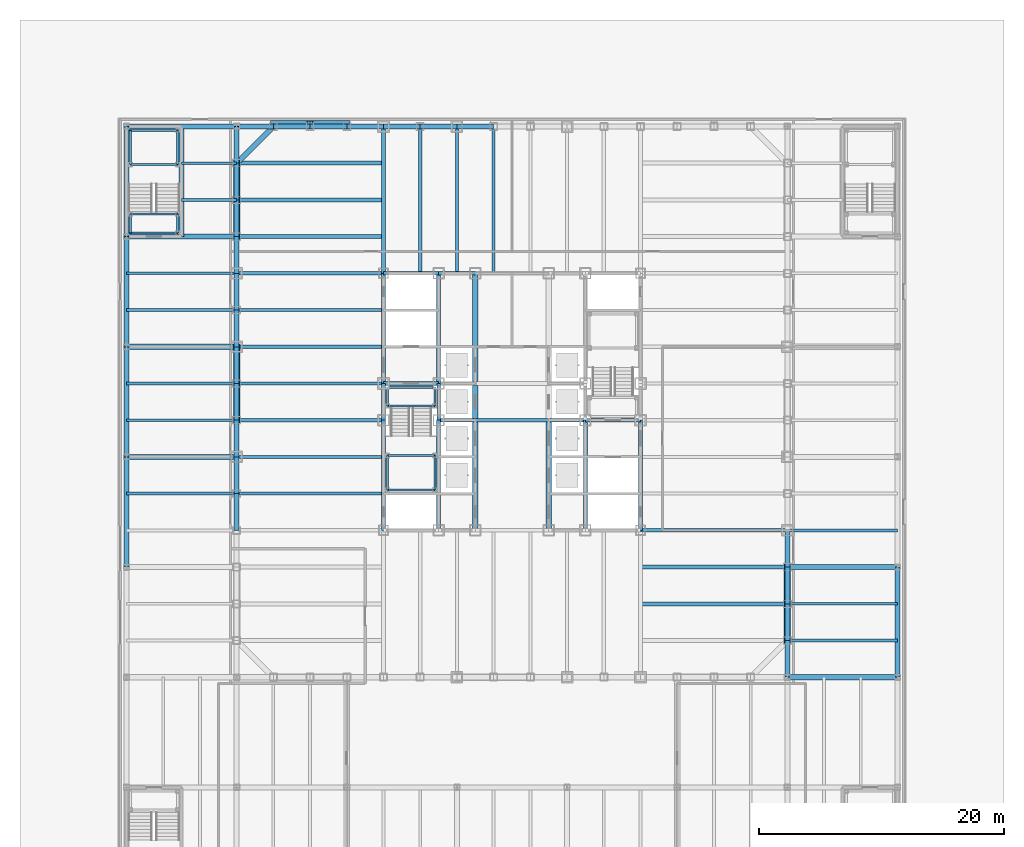
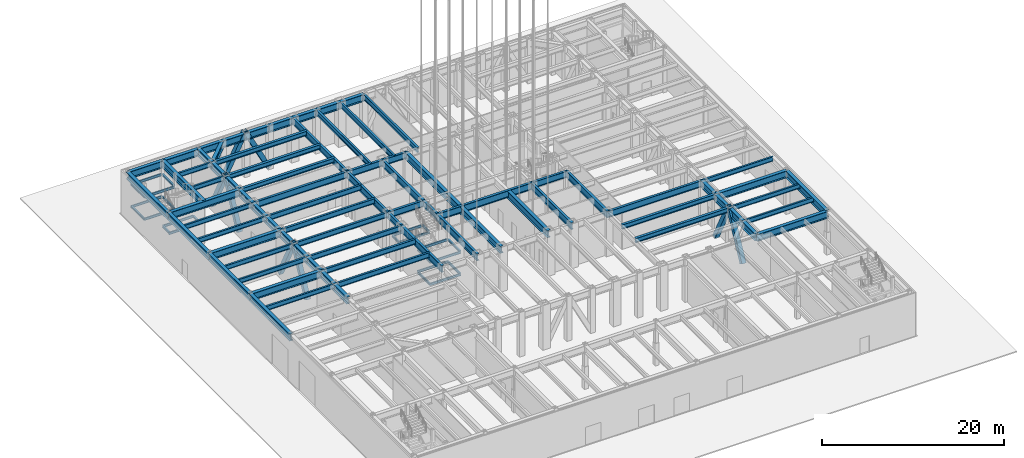
# One storey, part 4 of 35: 103 beams, 8 members.
"""IFC4 building model written with IfcOpenShell, lengths in metres."""

from ifc_helpers import new_model, si_unit, direction, frame, origin, origin_2d, place, context, subcontext, project, spatial, hollow_rectangle, i_section, extrude, material, material_profile, profile_set, type_object, element, save


model = new_model("IFC4")

# Units and contexts
model_context = context("Model", 3, precision=1e-05, world=origin(), true_north=direction((0.0, 1.0)))
body_context = subcontext(model_context, "Body", "Model", "MODEL_VIEW")
ifc_project = project(units=[si_unit("LENGTHUNIT", "METRE"), si_unit("AREAUNIT", "SQUARE_METRE"), si_unit("VOLUMEUNIT", "CUBIC_METRE"), si_unit("PLANEANGLEUNIT", "RADIAN"), si_unit("MASSUNIT", "GRAM", prefix="KILO")], contexts=[model_context])

# Site, building, storey
site_placement = place(None, origin())
site = spatial("IfcSite", under=ifc_project, at=site_placement, CompositionType="ELEMENT")
building_placement = place(site_placement, origin())
building = spatial("IfcBuilding", under=site, at=building_placement, Name="Chuquiago Exchange Tower", CompositionType="ELEMENT")
storey_placement = place(building_placement, origin())
storey = spatial("IfcBuildingStorey", under=building, at=storey_placement, Name="L00", CompositionType="ELEMENT", Elevation=0.0)

# Beams
ifc_material_1 = material(Name="Steel ASTM A992", Category="steel")
ifc_material_profile_1 = material_profile(ifc_material_1, i_section(OverallWidth=0.307373046875, OverallDepth=0.927001953125, WebThickness=0.01953125, FlangeThickness=0.031982421875, at=origin_2d()), Name="W36X194")
ifc_profile_set_1 = profile_set([ifc_material_profile_1], Name="Steel ASTM A992")
beam_type_1 = type_object("IfcBeamType", Name="B10 W36X194", PredefinedType="BEAM", material=ifc_profile_set_1)
for number, where, z_axis, x_axis, name in (
    (1, (12.0, 12.0, 5.33642578125), (0.0, 1.0, 0.0), (-1.0, 0.0, 0.0), "CB-L01-12_12-12_21"),
    (2, (12.0, 24.0, 5.33642578125), (0.0, 1.0, 0.0), (-1.0, 0.0, 0.0), "CB-L01-12_24-12_33"),
    (3, (16.5, 12.0, 5.33642578125), (0.0, 1.0, 0.0), (-1.0, 0.0, 0.0), "CB-L01-16.5_12-16.5_21"),
    (4, (16.5, 24.0, 5.33642578125), (0.0, 1.0, 0.0), (-1.0, 0.0, 0.0), "CB-L01-16.5_24-16.5_33"),
    (5, (28.5, 12.0, 5.33642578125), (0.0, 1.0, 0.0), (-1.0, 0.0, 0.0), "CB-L01-28.5_12-28.5_21"),
    (6, (33.0, 12.0, 5.33642578125), (0.0, 1.0, 0.0), (-1.0, 0.0, 0.0), "CB-L01-33_12-33_21"),
):
    element("IfcBeam", number, at=place(storey_placement, frame(where, z_axis=z_axis, x_axis=x_axis)), inside=storey, type_object=beam_type_1, Name=name, PredefinedType="BEAM", context=body_context, shape_type="SweptSolid", body=[
        extrude(i_section(OverallWidth=0.307373046875, OverallDepth=0.927001953125, WebThickness=0.01953125, FlangeThickness=0.031982421875, at=origin_2d()), origin(), (0.0, 0.0, 1.0), 9.0),
    ])
ifc_material_2 = material(Name="Steel ASTM A992", Category="steel")
ifc_material_profile_2 = material_profile(ifc_material_2, i_section(OverallWidth=0.309814453125, OverallDepth=0.949951171875, WebThickness=0.0244140625, FlangeThickness=0.0439453125, at=origin_2d()), Name="W36X256")
ifc_profile_set_2 = profile_set([ifc_material_profile_2], Name="Steel ASTM A992")
beam_type_2 = type_object("IfcBeamType", Name="B11 W36X256", PredefinedType="BEAM", material=ifc_profile_set_2)
beam_1_placement = place(storey_placement, frame((16.5, 21.0, 5.324951171875), z_axis=(1.0, 0.0, 0.0), x_axis=(0.0, 1.0, 0.0)))
element("IfcBeam", 7, at=beam_1_placement, inside=storey, type_object=beam_type_2, Name="CB-L01-16.5_21-28.5_21", PredefinedType="BEAM", context=body_context, shape_type="SweptSolid", body=[
    extrude(i_section(OverallWidth=0.309814453125, OverallDepth=0.949951171875, WebThickness=0.0244140625, FlangeThickness=0.0439453125, at=origin_2d()), origin(), (0.0, 0.0, 1.0), 12.0),
])
ifc_material_3 = material(Name="Steel ASTM A992", Category="steel")
ifc_material_profile_3 = material_profile(ifc_material_3, i_section(OverallWidth=0.4267578125, OverallDepth=0.975341796875, WebThickness=0.031005859375, FlangeThickness=0.055908203125, at=origin_2d()), Name="W36X395")
ifc_profile_set_3 = profile_set([ifc_material_profile_3], Name="Steel ASTM A992")
beam_type_3 = type_object("IfcBeamType", Name="B12 W36X395", PredefinedType="BEAM", material=ifc_profile_set_3)
beam_2_placement = place(storey_placement, frame((19.5, 12.0, 5.312255859375), z_axis=(0.0, 1.0, 0.0), x_axis=(-1.0, 0.0, 0.0)))
element("IfcBeam", 8, at=beam_2_placement, inside=storey, type_object=beam_type_3, Name="CB-L01-19.5_12-19.5_20.8451", PredefinedType="BEAM", context=body_context, shape_type="SweptSolid", body=[
    extrude(i_section(OverallWidth=0.4267578125, OverallDepth=0.975341796875, WebThickness=0.031005859375, FlangeThickness=0.055908203125, at=origin_2d()), origin(), (0.0, 0.0, 1.0), 8.84521484375),
])
beam_3_placement = place(storey_placement, frame((19.5, 21.15478515625, 5.312255859375), z_axis=(0.0, 1.0, 0.0), x_axis=(-1.0, 0.0, 0.0)))
element("IfcBeam", 9, at=beam_3_placement, inside=storey, type_object=beam_type_3, Name="CB-L01-19.5_21.1549-19.5_23.8451", PredefinedType="BEAM", context=body_context, shape_type="SweptSolid", body=[
    extrude(i_section(OverallWidth=0.4267578125, OverallDepth=0.975341796875, WebThickness=0.031005859375, FlangeThickness=0.055908203125, at=origin_2d()), origin(), (0.0, 0.0, 1.0), 2.6904296875),
])
for number, where, z_axis, x_axis, name in (
    (10, (19.5, 24.15478515625, 5.312255859375), (0.0, 1.0, 0.0), (-1.0, 0.0, 0.0), "CB-L01-19.5_24.1549-19.5_33"),
    (11, (25.5, 12.0, 5.312255859375), (0.0, 1.0, 0.0), (-1.0, 0.0, 0.0), "CB-L01-25.5_12-25.5_20.8451"),
):
    element("IfcBeam", number, at=place(storey_placement, frame(where, z_axis=z_axis, x_axis=x_axis)), inside=storey, type_object=beam_type_3, Name=name, PredefinedType="BEAM", context=body_context, shape_type="SweptSolid", body=[
        extrude(i_section(OverallWidth=0.4267578125, OverallDepth=0.975341796875, WebThickness=0.031005859375, FlangeThickness=0.055908203125, at=origin_2d()), origin(), (0.0, 0.0, 1.0), 8.84521484375),
    ])
ifc_material_4 = material(Name="Steel ASTM A992", Category="steel")
ifc_material_profile_4 = material_profile(ifc_material_4, i_section(OverallWidth=0.2919921875, OverallDepth=0.8583984375, WebThickness=0.01708984375, FlangeThickness=0.031005859375, at=origin_2d()), Name="W33X169")
ifc_profile_set_4 = profile_set([ifc_material_profile_4], Name="Steel ASTM A992")
beam_type_4 = type_object("IfcBeamType", Name="B3 W33X169", PredefinedType="BEAM", material=ifc_profile_set_4)
for number, where, z_axis, x_axis, name in (
    (12, (12.0, 21.0, 5.37060546875), (0.0, 1.0, 0.0), (-1.0, 0.0, 0.0), "CB-L01-12_21-12_24"),
    (13, (16.5, 21.0, 5.37060546875), (0.0, 1.0, 0.0), (-1.0, 0.0, 0.0), "CB-L01-16.5_21-16.5_24"),
):
    element("IfcBeam", number, at=place(storey_placement, frame(where, z_axis=z_axis, x_axis=x_axis)), inside=storey, type_object=beam_type_4, Name=name, PredefinedType="BEAM", context=body_context, shape_type="SweptSolid", body=[
        extrude(i_section(OverallWidth=0.2919921875, OverallDepth=0.8583984375, WebThickness=0.01708984375, FlangeThickness=0.031005859375, at=origin_2d()), origin(), (0.0, 0.0, 1.0), 3.0),
    ])
for number, where, z_axis, x_axis, name in (
    (14, (28.5, 21.0, 5.37060546875), (1.0, 0.0, 0.0), (0.0, 1.0, 0.0), "CB-L01-28.5_21-33_21"),
    (15, (12.0, 24.0, 5.37060546875), (1.0, 0.0, 0.0), (0.0, 1.0, 0.0), "CB-L01-12_24-16.5_24"),
    (16, (12.0, 33.0, 5.37060546875), (1.0, 0.0, 0.0), (0.0, 1.0, 0.0), "CB-L01-12_33-16.5_33"),
):
    element("IfcBeam", number, at=place(storey_placement, frame(where, z_axis=z_axis, x_axis=x_axis)), inside=storey, type_object=beam_type_4, Name=name, PredefinedType="BEAM", context=body_context, shape_type="SweptSolid", body=[
        extrude(i_section(OverallWidth=0.2919921875, OverallDepth=0.8583984375, WebThickness=0.01708984375, FlangeThickness=0.031005859375, at=origin_2d()), origin(), (0.0, 0.0, 1.0), 4.5),
    ])
beam_4_placement = place(storey_placement, frame((16.5, 33.0, 5.37060546875), z_axis=(1.0, 0.0, 0.0), x_axis=(0.0, 1.0, 0.0)))
element("IfcBeam", 17, at=beam_4_placement, inside=storey, type_object=beam_type_4, Name="CB-L01-16.5_33-19.5_33", PredefinedType="BEAM", context=body_context, shape_type="SweptSolid", body=[
    extrude(i_section(OverallWidth=0.2919921875, OverallDepth=0.8583984375, WebThickness=0.01708984375, FlangeThickness=0.031005859375, at=origin_2d()), origin(), (0.0, 0.0, 1.0), 3.0),
])
ifc_material_5 = material(Name="Steel ASTM A992", Category="steel")
ifc_material_profile_5 = material_profile(ifc_material_5, i_section(OverallWidth=0.256591796875, OverallDepth=0.693359375, WebThickness=0.014404296875, FlangeThickness=0.023681640625, at=origin_2d()), Name="W27X114")
ifc_profile_set_5 = profile_set([ifc_material_profile_5], Name="Steel ASTM A992")
beam_type_5 = type_object("IfcBeamType", Name="B4 W27X114", PredefinedType="BEAM", material=ifc_profile_set_5)
for number, where, z_axis, x_axis, name in (
    (18, (15.0, 33.0, 5.453369140625), (0.0, 1.0, 0.0), (-1.0, 0.0, 0.0), "FB-L01-infill-15_33-15_45-0"),
    (19, (18.0, 33.0, 5.453369140625), (0.0, 1.0, 0.0), (-1.0, 0.0, 0.0), "FB-L01-infill-18_33-18_45-0"),
    (20, (21.0, 33.0, 5.453369140625), (0.0, 1.0, 0.0), (-1.0, 0.0, 0.0), "FB-L01-infill-21_33-21_45-0"),
    (21, (12.0, 15.0, 5.453369140625), (-1.0, 0.0, 0.0), (0.0, -1.0, 0.0), "FB-L01-infill-12_15--0_15-0"),
    (22, (12.0, 18.0, 5.453369140625), (-1.0, 0.0, 0.0), (0.0, -1.0, 0.0), "FB-L01-infill-12_18--0_18-0"),
    (23, (12.0, 21.0, 5.453369140625), (-1.0, 0.0, 0.0), (0.0, -1.0, 0.0), "FB-L01-infill-12_21--0_21-0"),
    (24, (12.0, 24.0, 5.453369140625), (-1.0, 0.0, 0.0), (0.0, -1.0, 0.0), "FB-L01-infill-12_24--0_24-0"),
    (25, (12.0, 27.0, 5.453369140625), (-1.0, 0.0, 0.0), (0.0, -1.0, 0.0), "FB-L01-infill-12_27--0_27-0"),
    (26, (12.0, 30.0, 5.453369140625), (-1.0, 0.0, 0.0), (0.0, -1.0, 0.0), "FB-L01-infill-12_30--0_30-0"),
):
    element("IfcBeam", number, at=place(storey_placement, frame(where, z_axis=z_axis, x_axis=x_axis)), inside=storey, type_object=beam_type_5, Name=name, PredefinedType="BEAM", context=body_context, shape_type="SweptSolid", body=[
        extrude(i_section(OverallWidth=0.256591796875, OverallDepth=0.693359375, WebThickness=0.014404296875, FlangeThickness=0.023681640625, at=origin_2d()), origin(), (0.0, 0.0, 1.0), 12.0),
    ])
ifc_material_6 = material(Name="Steel ASTM A992", Category="steel")
ifc_material_profile_6 = material_profile(ifc_material_6, i_section(OverallWidth=0.3251953125, OverallDepth=0.6171875, WebThickness=0.013916015625, FlangeThickness=0.021484375, at=origin_2d()), Name="W24X117")
ifc_profile_set_6 = profile_set([ifc_material_profile_6], Name="Steel ASTM A992")
beam_type_6 = type_object("IfcBeamType", Name="B5 W24X117", PredefinedType="BEAM", material=ifc_profile_set_6)
for number, where, z_axis, x_axis, name in (
    (27, (12.0, 36.0, 5.491455078125), (-1.0, 0.0, 0.0), (0.0, -1.0, 0.0), "FB-L01-corner-12_36--0_36-0"),
    (28, (12.0, 39.0, 5.491455078125), (-1.0, 0.0, 0.0), (0.0, -1.0, 0.0), "FB-L01-corner-12_39--0_39-0"),
    (29, (12.0, 42.0, 5.491455078125), (-1.0, 0.0, 0.0), (0.0, -1.0, 0.0), "FB-L01-corner-12_42--0_42-0"),
    (30, (33.0, 6.0, 5.491455078125), (1.0, 0.0, 0.0), (0.0, 1.0, 0.0), "FB-L01-corner-33_6-45_6-0"),
    (31, (33.0, 9.0, 5.491455078125), (1.0, 0.0, 0.0), (0.0, 1.0, 0.0), "FB-L01-corner-33_9-45_9-0"),
):
    element("IfcBeam", number, at=place(storey_placement, frame(where, z_axis=z_axis, x_axis=x_axis)), inside=storey, type_object=beam_type_6, Name=name, PredefinedType="BEAM", context=body_context, shape_type="SweptSolid", body=[
        extrude(i_section(OverallWidth=0.3251953125, OverallDepth=0.6171875, WebThickness=0.013916015625, FlangeThickness=0.021484375, at=origin_2d()), origin(), (0.0, 0.0, 1.0), 12.0),
    ])
ifc_material_7 = material(Name="Steel ASTM A992", Category="steel")
ifc_material_profile_7 = material_profile(ifc_material_7, i_section(OverallWidth=0.2919921875, OverallDepth=0.8583984375, WebThickness=0.01708984375, FlangeThickness=0.031005859375, at=origin_2d()), Name="W33X169")
ifc_profile_set_7 = profile_set([ifc_material_profile_7], Name="Steel ASTM A992")
beam_type_7 = type_object("IfcBeamType", Name="G2 W33X169", PredefinedType="BEAM", material=ifc_profile_set_7)
for number, where, z_axis, x_axis, name in (
    (32, (12.0, 33.0, 5.37060546875), (0.0, 1.0, 0.0), (-1.0, 0.0, 0.0), "FB-L01-girder-12_33-12_45-0"),
    (33, (33.0, 12.0, 5.37060546875), (1.0, 0.0, 0.0), (0.0, 1.0, 0.0), "FB-L01-girder-33_12-45_12-0"),
    (34, (12.0, 33.0, 5.37060546875), (-1.0, 0.0, 0.0), (0.0, -1.0, 0.0), "FB-L01-girder-12_33--0_33-0"),
):
    element("IfcBeam", number, at=place(storey_placement, frame(where, z_axis=z_axis, x_axis=x_axis)), inside=storey, type_object=beam_type_7, Name=name, PredefinedType="BEAM", context=body_context, shape_type="SweptSolid", body=[
        extrude(i_section(OverallWidth=0.2919921875, OverallDepth=0.8583984375, WebThickness=0.01708984375, FlangeThickness=0.031005859375, at=origin_2d()), origin(), (0.0, 0.0, 1.0), 12.0),
    ])
ifc_material_8 = material(Name="Steel ASTM A992", Category="steel")
ifc_material_profile_8 = material_profile(ifc_material_8, i_section(OverallWidth=0.164794921875, OverallDepth=0.309814453125, WebThickness=0.005859375, FlangeThickness=0.009765625, at=origin_2d()), Name="W12X26")
ifc_profile_set_8 = profile_set([ifc_material_profile_8], Name="Steel ASTM A992")
beam_type_8 = type_object("IfcBeamType", Name="LS1 W12X26", PredefinedType="BEAM", material=ifc_profile_set_8)
for number, where, z_axis, x_axis, name in (
    (35, (12.31005859375, 15.31005859375, 1.14501953125), (0.0, 1.0, 0.0), (-1.0, 0.0, 0.0), "Stair ST1 L00 landing 1 stringer"),
    (36, (16.18994140625, 15.31005859375, 1.14501953125), (0.0, 1.0, 0.0), (-1.0, 0.0, 0.0), "Stair ST1 L00 landing 1 stringer"),
):
    element("IfcBeam", number, at=place(storey_placement, frame(where, z_axis=z_axis, x_axis=x_axis)), inside=storey, type_object=beam_type_8, Name=name, PredefinedType="BEAM", context=body_context, shape_type="SweptSolid", body=[
        extrude(i_section(OverallWidth=0.164794921875, OverallDepth=0.309814453125, WebThickness=0.005859375, FlangeThickness=0.009765625, at=origin_2d()), origin(), (0.0, 0.0, 1.0), 2.800048828125),
    ])
for number, where, z_axis, x_axis, name in (
    (37, (12.31005859375, 22.14990234375, 2.64501953125), (0.0, 1.0, 0.0), (-1.0, 0.0, 0.0), "Stair ST1 L00 landing 2 stringer"),
    (38, (16.18994140625, 22.14990234375, 2.64501953125), (0.0, 1.0, 0.0), (-1.0, 0.0, 0.0), "Stair ST1 L00 landing 2 stringer"),
):
    element("IfcBeam", number, at=place(storey_placement, frame(where, z_axis=z_axis, x_axis=x_axis)), inside=storey, type_object=beam_type_8, Name=name, PredefinedType="BEAM", context=body_context, shape_type="SweptSolid", body=[
        extrude(i_section(OverallWidth=0.164794921875, OverallDepth=0.309814453125, WebThickness=0.005859375, FlangeThickness=0.009765625, at=origin_2d()), origin(), (0.0, 0.0, 1.0), 1.5400390625),
    ])
for number, where, z_axis, x_axis, name in (
    (39, (12.31005859375, 15.31005859375, 4.14501953125), (0.0, 1.0, 0.0), (-1.0, 0.0, 0.0), "Stair ST1 L00 landing 3 stringer"),
    (40, (16.18994140625, 15.31005859375, 4.14501953125), (0.0, 1.0, 0.0), (-1.0, 0.0, 0.0), "Stair ST1 L00 landing 3 stringer"),
    (41, (-8.68994140625, 41.889892578125, 1.14501953125), (0.0, 1.0, 0.0), (-1.0, 0.0, 0.0), "Stair PS3 L00 landing 1 stringer"),
    (42, (-4.81005859375, 41.889892578125, 1.14501953125), (0.0, 1.0, 0.0), (-1.0, 0.0, 0.0), "Stair PS3 L00 landing 1 stringer"),
):
    element("IfcBeam", number, at=place(storey_placement, frame(where, z_axis=z_axis, x_axis=x_axis)), inside=storey, type_object=beam_type_8, Name=name, PredefinedType="BEAM", context=body_context, shape_type="SweptSolid", body=[
        extrude(i_section(OverallWidth=0.164794921875, OverallDepth=0.309814453125, WebThickness=0.005859375, FlangeThickness=0.009765625, at=origin_2d()), origin(), (0.0, 0.0, 1.0), 2.800048828125),
    ])
for number, where, z_axis, x_axis, name in (
    (43, (-8.68994140625, 36.31005859375, 2.64501953125), (0.0, 1.0, 0.0), (-1.0, 0.0, 0.0), "Stair PS3 L00 landing 2 stringer"),
    (44, (-4.81005859375, 36.31005859375, 2.64501953125), (0.0, 1.0, 0.0), (-1.0, 0.0, 0.0), "Stair PS3 L00 landing 2 stringer"),
):
    element("IfcBeam", number, at=place(storey_placement, frame(where, z_axis=z_axis, x_axis=x_axis)), inside=storey, type_object=beam_type_8, Name=name, PredefinedType="BEAM", context=body_context, shape_type="SweptSolid", body=[
        extrude(i_section(OverallWidth=0.164794921875, OverallDepth=0.309814453125, WebThickness=0.005859375, FlangeThickness=0.009765625, at=origin_2d()), origin(), (0.0, 0.0, 1.0), 1.5400390625),
    ])
for number, where, z_axis, x_axis, name in (
    (45, (-8.68994140625, 41.889892578125, 4.14501953125), (0.0, 1.0, 0.0), (-1.0, 0.0, 0.0), "Stair PS3 L00 landing 3 stringer"),
    (46, (-4.81005859375, 41.889892578125, 4.14501953125), (0.0, 1.0, 0.0), (-1.0, 0.0, 0.0), "Stair PS3 L00 landing 3 stringer"),
):
    element("IfcBeam", number, at=place(storey_placement, frame(where, z_axis=z_axis, x_axis=x_axis)), inside=storey, type_object=beam_type_8, Name=name, PredefinedType="BEAM", context=body_context, shape_type="SweptSolid", body=[
        extrude(i_section(OverallWidth=0.164794921875, OverallDepth=0.309814453125, WebThickness=0.005859375, FlangeThickness=0.009765625, at=origin_2d()), origin(), (0.0, 0.0, 1.0), 2.800048828125),
    ])
ifc_material_9 = material(Name="Steel ASTM A992", Category="steel")
ifc_material_profile_9 = material_profile(ifc_material_9, i_section(OverallWidth=0.164794921875, OverallDepth=0.309814453125, WebThickness=0.005859375, FlangeThickness=0.009765625, at=origin_2d()), Name="W12X26")
ifc_profile_set_9 = profile_set([ifc_material_profile_9], Name="Steel ASTM A992")
beam_type_9 = type_object("IfcBeamType", Name="LT1 W12X26", PredefinedType="BEAM", material=ifc_profile_set_9)
for number, where, z_axis, x_axis, name in (
    (47, (12.31005859375, 15.31005859375, 1.14501953125), (1.0, 0.0, 0.0), (0.0, 1.0, 0.0), "Stair ST1 L00 landing 1 trimmer"),
    (48, (12.31005859375, 18.110107421875, 1.14501953125), (1.0, 0.0, 0.0), (0.0, 1.0, 0.0), "Stair ST1 L00 landing 1 trimmer"),
    (49, (12.31005859375, 22.14990234375, 2.64501953125), (1.0, 0.0, 0.0), (0.0, 1.0, 0.0), "Stair ST1 L00 landing 2 trimmer"),
):
    element("IfcBeam", number, at=place(storey_placement, frame(where, z_axis=z_axis, x_axis=x_axis)), inside=storey, type_object=beam_type_9, Name=name, PredefinedType="BEAM", context=body_context, shape_type="SweptSolid", body=[
        extrude(i_section(OverallWidth=0.164794921875, OverallDepth=0.309814453125, WebThickness=0.005859375, FlangeThickness=0.009765625, at=origin_2d()), origin(), (0.0, 0.0, 1.0), 3.8798828125),
    ])
beam_5_placement = place(storey_placement, frame((12.455078125, 23.68994140625, 2.64501953125), z_axis=(1.0, 0.0, 0.0), x_axis=(0.0, 1.0, 0.0)))
element("IfcBeam", 50, at=beam_5_placement, inside=storey, type_object=beam_type_9, Name="Stair ST1 L00 landing 2 trimmer", PredefinedType="BEAM", context=body_context, shape_type="SweptSolid", body=[
    extrude(i_section(OverallWidth=0.164794921875, OverallDepth=0.309814453125, WebThickness=0.005859375, FlangeThickness=0.009765625, at=origin_2d()), origin(), (0.0, 0.0, 1.0), 3.58984375),
])
for number, where, z_axis, x_axis, name in (
    (51, (12.31005859375, 15.31005859375, 4.14501953125), (1.0, 0.0, 0.0), (0.0, 1.0, 0.0), "Stair ST1 L00 landing 3 trimmer"),
    (52, (12.31005859375, 18.110107421875, 4.14501953125), (1.0, 0.0, 0.0), (0.0, 1.0, 0.0), "Stair ST1 L00 landing 3 trimmer"),
):
    element("IfcBeam", number, at=place(storey_placement, frame(where, z_axis=z_axis, x_axis=x_axis)), inside=storey, type_object=beam_type_9, Name=name, PredefinedType="BEAM", context=body_context, shape_type="SweptSolid", body=[
        extrude(i_section(OverallWidth=0.164794921875, OverallDepth=0.309814453125, WebThickness=0.005859375, FlangeThickness=0.009765625, at=origin_2d()), origin(), (0.0, 0.0, 1.0), 3.8798828125),
    ])
beam_6_placement = place(storey_placement, frame((-8.814208984375, 44.68994140625, 1.14501953125), z_axis=(1.0, 0.0, 0.0), x_axis=(0.0, 1.0, 0.0)))
element("IfcBeam", 53, at=beam_6_placement, inside=storey, type_object=beam_type_9, Name="Stair PS3 L00 landing 1 trimmer", PredefinedType="BEAM", context=body_context, shape_type="SweptSolid", body=[
    extrude(i_section(OverallWidth=0.164794921875, OverallDepth=0.309814453125, WebThickness=0.005859375, FlangeThickness=0.009765625, at=origin_2d()), origin(), (0.0, 0.0, 1.0), 4.004150390625),
])
for number, where, z_axis, x_axis, name in (
    (54, (-8.68994140625, 41.889892578125, 1.14501953125), (1.0, 0.0, 0.0), (0.0, 1.0, 0.0), "Stair PS3 L00 landing 1 trimmer"),
    (55, (-8.68994140625, 37.85009765625, 2.64501953125), (1.0, 0.0, 0.0), (0.0, 1.0, 0.0), "Stair PS3 L00 landing 2 trimmer"),
):
    element("IfcBeam", number, at=place(storey_placement, frame(where, z_axis=z_axis, x_axis=x_axis)), inside=storey, type_object=beam_type_9, Name=name, PredefinedType="BEAM", context=body_context, shape_type="SweptSolid", body=[
        extrude(i_section(OverallWidth=0.164794921875, OverallDepth=0.309814453125, WebThickness=0.005859375, FlangeThickness=0.009765625, at=origin_2d()), origin(), (0.0, 0.0, 1.0), 3.8798828125),
    ])
for number, where, z_axis, x_axis, name in (
    (56, (-8.814208984375, 36.31005859375, 2.64501953125), (1.0, 0.0, 0.0), (0.0, 1.0, 0.0), "Stair PS3 L00 landing 2 trimmer"),
    (57, (-8.814208984375, 44.68994140625, 4.14501953125), (1.0, 0.0, 0.0), (0.0, 1.0, 0.0), "Stair PS3 L00 landing 3 trimmer"),
):
    element("IfcBeam", number, at=place(storey_placement, frame(where, z_axis=z_axis, x_axis=x_axis)), inside=storey, type_object=beam_type_9, Name=name, PredefinedType="BEAM", context=body_context, shape_type="SweptSolid", body=[
        extrude(i_section(OverallWidth=0.164794921875, OverallDepth=0.309814453125, WebThickness=0.005859375, FlangeThickness=0.009765625, at=origin_2d()), origin(), (0.0, 0.0, 1.0), 4.004150390625),
    ])
beam_7_placement = place(storey_placement, frame((-8.68994140625, 41.889892578125, 4.14501953125), z_axis=(1.0, 0.0, 0.0), x_axis=(0.0, 1.0, 0.0)))
element("IfcBeam", 58, at=beam_7_placement, inside=storey, type_object=beam_type_9, Name="Stair PS3 L00 landing 3 trimmer", PredefinedType="BEAM", context=body_context, shape_type="SweptSolid", body=[
    extrude(i_section(OverallWidth=0.164794921875, OverallDepth=0.309814453125, WebThickness=0.005859375, FlangeThickness=0.009765625, at=origin_2d()), origin(), (0.0, 0.0, 1.0), 3.8798828125),
])

# Members
ifc_material_10 = material(Name="Steel ASTM A572 Grade 50", Category="steel")
ifc_material_profile_10 = material_profile(ifc_material_10, hollow_rectangle(XDim=0.550048828125, YDim=0.550048828125, WallThickness=0.044921875, at=origin_2d()), Name="BOX550X550X45")
ifc_profile_set_10 = profile_set([ifc_material_profile_10], Name="Steel ASTM A572 Grade 50")
member_type = type_object("IfcMemberType", Name="MB1 BOX550X550X45", PredefinedType="BRACE", material=ifc_profile_set_10)
for number, where, z_axis, x_axis, name in (
    (59, (45.0, 3.0, 0.0), (0.0, 0.456929540486, 0.889502892087), (-1.0, 0.0, 0.0), "Mega diagonal L00 E face"),
    (60, (45.0, 9.0, 0.0), (0.0, -0.456929540486, 0.889502892087), (1.0, 0.0, 0.0), "Mega diagonal L00 E face"),
    (61, (9.0, 45.205078125, 0.0), (-0.456929540486, 0.0, 0.889502892087), (0.0, -1.0, 0.0), "Mega diagonal L00 N face"),
    (62, (3.0, 45.205078125, 0.0), (0.456929540486, 0.0, 0.889502892087), (0.0, 1.0, 0.0), "Mega diagonal L00 N face"),
    (63, (0.0, 42.0, 0.0), (0.0, -0.456929540486, 0.889502892087), (1.0, 0.0, 0.0), "Mega diagonal L00 W face"),
    (64, (0.0, 36.0, 0.0), (0.0, 0.456929540486, 0.889502892087), (-1.0, 0.0, 0.0), "Mega diagonal L00 W face"),
    (65, (0.0, 27.0, 0.0), (0.0, -0.456929540486, 0.889502892087), (1.0, 0.0, 0.0), "Mega diagonal L00 W face"),
    (66, (0.0, 21.0, 0.0), (0.0, 0.456929540486, 0.889502892087), (-1.0, 0.0, 0.0), "Mega diagonal L00 W face"),
):
    element("IfcMember", number, at=place(storey_placement, frame(where, z_axis=z_axis, x_axis=x_axis)), inside=storey, type_object=member_type, Name=name, PredefinedType="BRACE", context=body_context, shape_type="SweptSolid", body=[
        extrude(hollow_rectangle(XDim=0.550048828125, YDim=0.550048828125, WallThickness=0.044921875, at=origin_2d()), origin(), (0.0, 0.0, 1.0), 6.565673828125),
    ])

# Beams
ifc_material_11 = material(Name="Steel ASTM A992", Category="steel")
ifc_material_profile_11 = material_profile(ifc_material_11, i_section(OverallWidth=0.227783203125, OverallDepth=0.60205078125, WebThickness=0.010498046875, FlangeThickness=0.014892578125, at=origin_2d()), Name="W24X68")
ifc_profile_set_11 = profile_set([ifc_material_profile_11], Name="Steel ASTM A992")
beam_type_10 = type_object("IfcBeamType", Name="PB1 W24X68", PredefinedType="BEAM", material=ifc_profile_set_11)
for number, where, z_axis, x_axis, name in (
    (67, (45.0, 3.0, 5.4990234375), (1.0, 0.0, 0.0), (0.0, 1.0, 0.0), "PB-L01-45_3"),
    (68, (45.0, 6.0, 5.4990234375), (1.0, 0.0, 0.0), (0.0, 1.0, 0.0), "PB-L01-45_6"),
    (69, (45.0, 12.0, 5.4990234375), (1.0, 0.0, 0.0), (0.0, 1.0, 0.0), "PB-L01-45_12"),
    (70, (-9.0, 15.0, 5.4990234375), (1.0, 0.0, 0.0), (0.0, 1.0, 0.0), "PB-L01--9_15"),
    (71, (-9.0, 21.0, 5.4990234375), (1.0, 0.0, 0.0), (0.0, 1.0, 0.0), "PB-L01--9_21"),
    (72, (-9.0, 24.0, 5.4990234375), (1.0, 0.0, 0.0), (0.0, 1.0, 0.0), "PB-L01--9_24"),
    (73, (-9.0, 30.0, 5.4990234375), (1.0, 0.0, 0.0), (0.0, 1.0, 0.0), "PB-L01--9_30"),
    (74, (-9.0, 33.0, 5.4990234375), (1.0, 0.0, 0.0), (0.0, 1.0, 0.0), "PB-L01--9_33"),
):
    element("IfcBeam", number, at=place(storey_placement, frame(where, z_axis=z_axis, x_axis=x_axis)), inside=storey, type_object=beam_type_10, Name=name, PredefinedType="BEAM", context=body_context, shape_type="SweptSolid", body=[
        extrude(i_section(OverallWidth=0.227783203125, OverallDepth=0.60205078125, WebThickness=0.010498046875, FlangeThickness=0.014892578125, at=origin_2d()), origin(), (0.0, 0.0, 1.0), 9.0),
    ])
for number, where, z_axis, x_axis, name in (
    (75, (-4.5, 39.0, 5.4990234375), (1.0, 0.0, 0.0), (0.0, 1.0, 0.0), "PB-L01--4.5_39"),
    (76, (-4.5, 42.0, 5.4990234375), (1.0, 0.0, 0.0), (0.0, 1.0, 0.0), "PB-L01--4.5_42"),
):
    element("IfcBeam", number, at=place(storey_placement, frame(where, z_axis=z_axis, x_axis=x_axis)), inside=storey, type_object=beam_type_10, Name=name, PredefinedType="BEAM", context=body_context, shape_type="SweptSolid", body=[
        extrude(i_section(OverallWidth=0.227783203125, OverallDepth=0.60205078125, WebThickness=0.010498046875, FlangeThickness=0.014892578125, at=origin_2d()), origin(), (0.0, 0.0, 1.0), 4.5),
    ])
ifc_material_12 = material(Name="Steel ASTM A992", Category="steel")
ifc_material_profile_12 = material_profile(ifc_material_12, i_section(OverallWidth=0.424072265625, OverallDepth=0.947509765625, WebThickness=0.02392578125, FlangeThickness=0.042724609375, at=origin_2d()), Name="W36X302")
ifc_profile_set_12 = profile_set([ifc_material_profile_12], Name="Steel ASTM A992")
beam_type_11 = type_object("IfcBeamType", Name="PG1 W36X302", PredefinedType="BEAM", material=ifc_profile_set_12)
for number, where, z_axis, x_axis, name in (
    (77, (-9.0, 9.0, 5.326416015625), (0.0, 1.0, 0.0), (-1.0, 0.0, 0.0), "PG-L01--9_9--9_18"),
    (78, (-9.0, 18.0, 5.326416015625), (0.0, 1.0, 0.0), (-1.0, 0.0, 0.0), "PG-L01--9_18--9_27"),
    (79, (-9.0, 27.0, 5.326416015625), (0.0, 1.0, 0.0), (-1.0, 0.0, 0.0), "PG-L01--9_27--9_36"),
    (80, (-9.0, 36.0, 5.326416015625), (0.0, 1.0, 0.0), (-1.0, 0.0, 0.0), "PG-L01--9_36--9_45"),
):
    element("IfcBeam", number, at=place(storey_placement, frame(where, z_axis=z_axis, x_axis=x_axis)), inside=storey, type_object=beam_type_11, Name=name, PredefinedType="BEAM", context=body_context, shape_type="SweptSolid", body=[
        extrude(i_section(OverallWidth=0.424072265625, OverallDepth=0.947509765625, WebThickness=0.02392578125, FlangeThickness=0.042724609375, at=origin_2d()), origin(), (0.0, 0.0, 1.0), 9.0),
    ])
for number, where, z_axis, x_axis, name in (
    (81, (0.0, 42.0, 5.326416015625), (0.0, 1.0, 0.0), (-1.0, 0.0, 0.0), "PG-L01-0_42-0_45"),
    (82, (45.0, 0.0, 5.326416015625), (0.0, 1.0, 0.0), (-1.0, 0.0, 0.0), "PG-L01-45_0-45_3"),
):
    element("IfcBeam", number, at=place(storey_placement, frame(where, z_axis=z_axis, x_axis=x_axis)), inside=storey, type_object=beam_type_11, Name=name, PredefinedType="BEAM", context=body_context, shape_type="SweptSolid", body=[
        extrude(i_section(OverallWidth=0.424072265625, OverallDepth=0.947509765625, WebThickness=0.02392578125, FlangeThickness=0.042724609375, at=origin_2d()), origin(), (0.0, 0.0, 1.0), 3.0),
    ])
for number, where, z_axis, x_axis, name in (
    (83, (54.0, 0.0, 5.326416015625), (0.0, 1.0, 0.0), (-1.0, 0.0, 0.0), "PG-L01-54_0-54_9"),
    (84, (45.0, 0.0, 5.326416015625), (1.0, 0.0, 0.0), (0.0, 1.0, 0.0), "PG-L01-45_0-54_0"),
    (85, (45.0, 9.0, 5.326416015625), (1.0, 0.0, 0.0), (0.0, 1.0, 0.0), "PG-L01-45_9-54_9"),
    (86, (-9.0, 18.0, 5.326416015625), (1.0, 0.0, 0.0), (0.0, 1.0, 0.0), "PG-L01--9_18-0_18"),
    (87, (-9.0, 27.0, 5.326416015625), (1.0, 0.0, 0.0), (0.0, 1.0, 0.0), "PG-L01--9_27-0_27"),
    (88, (-9.0, 36.0, 5.326416015625), (1.0, 0.0, 0.0), (0.0, 1.0, 0.0), "PG-L01--9_36-0_36"),
    (89, (-9.0, 45.0, 5.326416015625), (1.0, 0.0, 0.0), (0.0, 1.0, 0.0), "PG-L01--9_45-0_45"),
):
    element("IfcBeam", number, at=place(storey_placement, frame(where, z_axis=z_axis, x_axis=x_axis)), inside=storey, type_object=beam_type_11, Name=name, PredefinedType="BEAM", context=body_context, shape_type="SweptSolid", body=[
        extrude(i_section(OverallWidth=0.424072265625, OverallDepth=0.947509765625, WebThickness=0.02392578125, FlangeThickness=0.042724609375, at=origin_2d()), origin(), (0.0, 0.0, 1.0), 9.0),
    ])
beam_8_placement = place(storey_placement, frame((0.0, 45.0, 5.326416015625), z_axis=(1.0, 0.0, 0.0), x_axis=(0.0, 1.0, 0.0)))
element("IfcBeam", 90, at=beam_8_placement, inside=storey, type_object=beam_type_11, Name="PG-L01-0_45-3_45", PredefinedType="BEAM", context=body_context, shape_type="SweptSolid", body=[
    extrude(i_section(OverallWidth=0.424072265625, OverallDepth=0.947509765625, WebThickness=0.02392578125, FlangeThickness=0.042724609375, at=origin_2d()), origin(), (0.0, 0.0, 1.0), 3.0),
])
beam_9_placement = place(storey_placement, frame((-4.5, 36.0, 5.326416015625), z_axis=(0.0, 1.0, 0.0), x_axis=(-1.0, 0.0, 0.0)))
element("IfcBeam", 91, at=beam_9_placement, inside=storey, type_object=beam_type_11, Name="PT-L01-PS3", PredefinedType="BEAM", context=body_context, shape_type="SweptSolid", body=[
    extrude(i_section(OverallWidth=0.424072265625, OverallDepth=0.947509765625, WebThickness=0.02392578125, FlangeThickness=0.042724609375, at=origin_2d()), origin(), (0.0, 0.0, 1.0), 9.0),
])
ifc_material_13 = material(Name="Steel ASTM A992", Category="steel")
ifc_material_profile_13 = material_profile(ifc_material_13, i_section(OverallWidth=0.4267578125, OverallDepth=0.95751953125, WebThickness=0.028564453125, FlangeThickness=0.050048828125, at=origin_2d()), Name="W36X361")
ifc_profile_set_13 = profile_set([ifc_material_profile_13], Name="Steel ASTM A992")
beam_type_12 = type_object("IfcBeamType", Name="SP1 W36X361", PredefinedType="SPANDREL", material=ifc_profile_set_13)
for number, where, z_axis, x_axis, name in (
    (92, (45.0, 3.0, 5.3212890625), (0.0, 1.0, 0.0), (-1.0, 0.0, 0.0), "SPB-L01-45_3-45_6"),
    (93, (45.0, 6.0, 5.3212890625), (0.0, 1.0, 0.0), (-1.0, 0.0, 0.0), "SPB-L01-45_6-45_9"),
    (94, (45.0, 9.0, 5.3212890625), (0.0, 1.0, 0.0), (-1.0, 0.0, 0.0), "SPB-L01-45_9-45_12"),
    (95, (21.0, 45.0, 5.3212890625), (-1.0, 0.0, 0.0), (0.0, -1.0, 0.0), "SPB-L01-21_45-18_45"),
    (96, (18.0, 45.0, 5.3212890625), (-1.0, 0.0, 0.0), (0.0, -1.0, 0.0), "SPB-L01-18_45-15_45"),
    (97, (15.0, 45.0, 5.3212890625), (-1.0, 0.0, 0.0), (0.0, -1.0, 0.0), "SPB-L01-15_45-12_45"),
    (98, (12.0, 45.0, 5.3212890625), (-1.0, 0.0, 0.0), (0.0, -1.0, 0.0), "SPB-L01-12_45-9_45"),
    (99, (9.0, 45.0, 5.3212890625), (-1.0, 0.0, 0.0), (0.0, -1.0, 0.0), "SPB-L01-9_45-6_45"),
    (100, (6.0, 45.0, 5.3212890625), (-1.0, 0.0, 0.0), (0.0, -1.0, 0.0), "SPB-L01-6_45-3_45"),
):
    element("IfcBeam", number, at=place(storey_placement, frame(where, z_axis=z_axis, x_axis=x_axis)), inside=storey, type_object=beam_type_12, Name=name, PredefinedType="SPANDREL", context=body_context, shape_type="SweptSolid", body=[
        extrude(i_section(OverallWidth=0.4267578125, OverallDepth=0.95751953125, WebThickness=0.028564453125, FlangeThickness=0.050048828125, at=origin_2d()), origin(), (0.0, 0.0, 1.0), 3.0),
    ])
beam_10_placement = place(storey_placement, frame((3.0, 45.0, 5.3212890625), z_axis=(-0.707106781187, -0.707106781187, 0.0), x_axis=(0.707106781187, -0.707106781187, 0.0)))
element("IfcBeam", 101, at=beam_10_placement, inside=storey, type_object=beam_type_12, Name="SPB-L01-3_45-0_42", PredefinedType="SPANDREL", context=body_context, shape_type="SweptSolid", body=[
    extrude(i_section(OverallWidth=0.4267578125, OverallDepth=0.95751953125, WebThickness=0.028564453125, FlangeThickness=0.050048828125, at=origin_2d()), origin(), (0.0, 0.0, 1.0), 4.24267578125),
])
for number, where, z_axis, x_axis, name in (
    (102, (0.0, 42.0, 5.3212890625), (0.0, -1.0, 0.0), (1.0, 0.0, 0.0), "SPB-L01-0_42-0_39"),
    (103, (0.0, 39.0, 5.3212890625), (0.0, -1.0, 0.0), (1.0, 0.0, 0.0), "SPB-L01-0_39-0_36"),
    (104, (0.0, 36.0, 5.3212890625), (0.0, -1.0, 0.0), (1.0, 0.0, 0.0), "SPB-L01-0_36-0_33"),
    (105, (0.0, 33.0, 5.3212890625), (0.0, -1.0, 0.0), (1.0, 0.0, 0.0), "SPB-L01-0_33-0_30"),
    (106, (0.0, 30.0, 5.3212890625), (0.0, -1.0, 0.0), (1.0, 0.0, 0.0), "SPB-L01-0_30-0_27"),
    (107, (0.0, 27.0, 5.3212890625), (0.0, -1.0, 0.0), (1.0, 0.0, 0.0), "SPB-L01-0_27-0_24"),
    (108, (0.0, 24.0, 5.3212890625), (0.0, -1.0, 0.0), (1.0, 0.0, 0.0), "SPB-L01-0_24-0_21"),
    (109, (0.0, 21.0, 5.3212890625), (0.0, -1.0, 0.0), (1.0, 0.0, 0.0), "SPB-L01-0_21-0_18"),
    (110, (0.0, 18.0, 5.3212890625), (0.0, -1.0, 0.0), (1.0, 0.0, 0.0), "SPB-L01-0_18-0_15"),
    (111, (0.0, 15.0, 5.3212890625), (0.0, -1.0, 0.0), (1.0, 0.0, 0.0), "SPB-L01-0_15-0_12"),
):
    element("IfcBeam", number, at=place(storey_placement, frame(where, z_axis=z_axis, x_axis=x_axis)), inside=storey, type_object=beam_type_12, Name=name, PredefinedType="SPANDREL", context=body_context, shape_type="SweptSolid", body=[
        extrude(i_section(OverallWidth=0.4267578125, OverallDepth=0.95751953125, WebThickness=0.028564453125, FlangeThickness=0.050048828125, at=origin_2d()), origin(), (0.0, 0.0, 1.0), 3.0),
    ])

save(model, "model.ifc")
